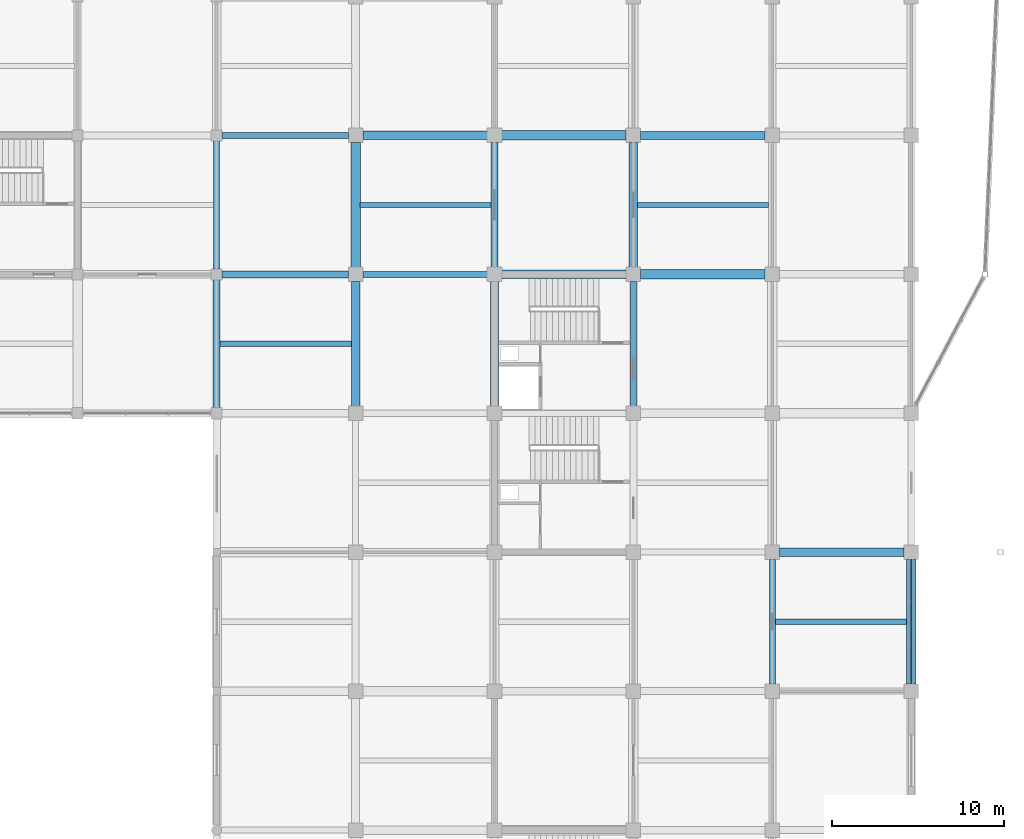
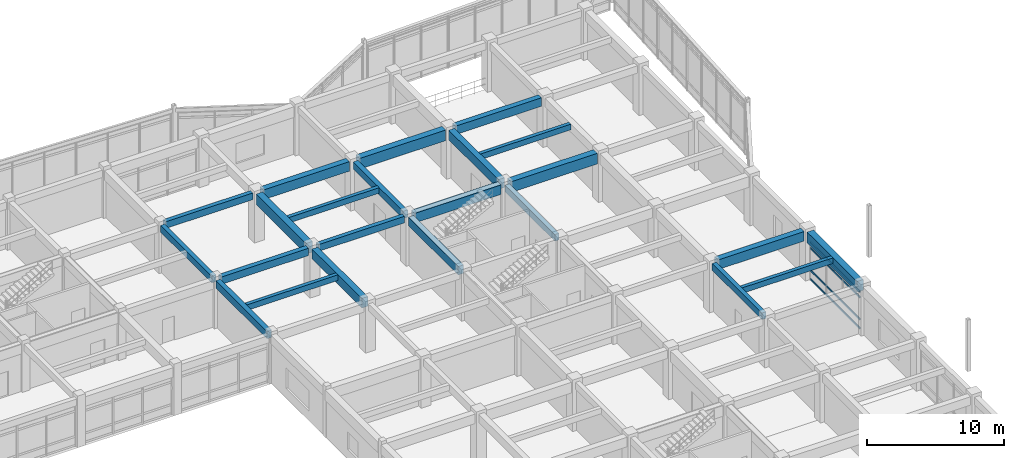
# One storey, part 40 of 93: 23 beams, 4 members, 1 element without a shape of its own.
"""IFC4 building model written with IfcOpenShell, lengths in metres."""

from ifc_helpers import new_model, si_unit, direction, frame, origin, origin_2d, place, context, subcontext, project, spatial, rectangle, extrude, material, layer, layer_set, material_profile, profile_set, type_object, element, aggregate, save


model = new_model("IFC4")

# Units and contexts
model_context = context("Model", 3, precision=1e-05, world=origin(), true_north=direction((0.0, 1.0)))
body_context = subcontext(model_context, "Body", "Model", "MODEL_VIEW")
ifc_project = project(units=[si_unit("LENGTHUNIT", "METRE"), si_unit("AREAUNIT", "SQUARE_METRE"), si_unit("VOLUMEUNIT", "CUBIC_METRE"), si_unit("PLANEANGLEUNIT", "RADIAN"), si_unit("MASSUNIT", "GRAM", prefix="KILO")], contexts=[model_context])

# Site, building, storey
site_placement = place(None, origin())
site = spatial("IfcSite", under=ifc_project, at=site_placement, CompositionType="ELEMENT")
building_placement = place(site_placement, origin())
building = spatial("IfcBuilding", under=site, at=building_placement, Name="Vaudrelin Polytechnic", CompositionType="ELEMENT")
storey_placement = place(building_placement, frame((0.0, 0.0, 5.10009765625)))
storey = spatial("IfcBuildingStorey", under=building, at=storey_placement, Name="L01", CompositionType="ELEMENT", Elevation=5.10009765625)

# Beams
ifc_material_1 = material(Name="Concrete 40 MPa", Category="concrete")
ifc_material_profile_1 = material_profile(ifc_material_1, rectangle(XDim=0.35009765625, YDim=0.60009765625, at=origin_2d()), Name="RC350x600")
ifc_profile_set_1 = profile_set([ifc_material_profile_1], Name="Concrete 40 MPa")
beam_type_1 = type_object("IfcBeamType", Name="BM-BM-RC3560", PredefinedType="BEAM", material=ifc_profile_set_1)
beam_1_placement = place(storey_placement, frame((129.60009765625, 105.610107421875, 3.949951171875), z_axis=(0.0, 1.0, 0.0), x_axis=(-1.0, 0.0, 0.0)))
element("IfcBeam", 1, at=beam_1_placement, inside=storey, type_object=beam_type_1, Name="L01 Y-beam 17-14", PredefinedType="BEAM", context=body_context, shape_type="SweptSolid", body=[
    extrude(rectangle(XDim=0.35009765625, YDim=0.60009765625, at=origin_2d()), origin(), (0.0, 0.0, 1.0), 7.47998046875),
])
beam_2_placement = place(storey_placement, frame((153.89990234375, 97.610107421875, 4.010009765625), z_axis=(0.0, 1.0, 0.0), x_axis=(-1.0, 0.0, 0.0)))
element("IfcBeam", 2, at=beam_2_placement, inside=storey, type_object=beam_type_1, Name="L01 Y-beam 20-13", PredefinedType="BEAM", context=body_context, shape_type="SweptSolid", body=[
    extrude(rectangle(XDim=0.35009765625, YDim=0.60009765625, at=origin_2d()), origin(), (0.0, 0.0, 1.0), 7.27978515625),
])
beam_3_placement = place(storey_placement, frame((162.0, 81.409912109375, 4.010009765625), z_axis=(0.0, 1.0, 0.0), x_axis=(-1.0, 0.0, 0.0)))
element("IfcBeam", 3, at=beam_3_placement, inside=storey, type_object=beam_type_1, Name="L01 Y-beam 21-11", PredefinedType="BEAM", context=body_context, shape_type="SweptSolid", body=[
    extrude(rectangle(XDim=0.35009765625, YDim=0.60009765625, at=origin_2d()), origin(), (0.0, 0.0, 1.0), 7.280029296875),
])
beam_4_placement = place(storey_placement, frame((129.9208984375, 113.39990234375, 4.010009765625), z_axis=(1.0, 0.0, 0.0), x_axis=(0.0, 1.0, 0.0)))
element("IfcBeam", 4, at=beam_4_placement, inside=storey, type_object=beam_type_1, Name="L01 X-beam 17-15", PredefinedType="BEAM", context=body_context, shape_type="SweptSolid", body=[
    extrude(rectangle(XDim=0.35009765625, YDim=0.60009765625, at=origin_2d()), origin(), (0.0, 0.0, 1.0), 7.358154296875),
])
beam_5_placement = place(storey_placement, frame((138.12109375, 105.300048828125, 4.010009765625), z_axis=(1.0, 0.0, 0.0), x_axis=(0.0, 1.0, 0.0)))
element("IfcBeam", 5, at=beam_5_placement, inside=storey, type_object=beam_type_1, Name="L01 X-beam 18-14", PredefinedType="BEAM", context=body_context, shape_type="SweptSolid", body=[
    extrude(rectangle(XDim=0.35009765625, YDim=0.60009765625, at=origin_2d()), origin(), (0.0, 0.0, 1.0), 7.2578125),
])
ifc_material_profile_2 = material_profile(ifc_material_1, rectangle(XDim=0.39990234375, YDim=0.64990234375, at=origin_2d()), Name="RC400x650")
ifc_profile_set_2 = profile_set([ifc_material_profile_2], Name="Concrete 40 MPa")
beam_type_2 = type_object("IfcBeamType", Name="BM-BM-RC4065", PredefinedType="BEAM", material=ifc_profile_set_2)
beam_6_placement = place(storey_placement, frame((129.60009765625, 97.510009765625, 3.9248046875), z_axis=(0.0, 1.0, 0.0), x_axis=(-1.0, 0.0, 0.0)))
element("IfcBeam", 6, at=beam_6_placement, inside=storey, type_object=beam_type_2, Name="L01 Y-beam 17-13", PredefinedType="BEAM", context=body_context, shape_type="SweptSolid", body=[
    extrude(rectangle(XDim=0.39990234375, YDim=0.64990234375, at=origin_2d()), origin(), (0.0, 0.0, 1.0), 7.47998046875),
])
beam_7_placement = place(storey_placement, frame((145.800048828125, 105.7099609375, 3.98486328125), z_axis=(0.0, 1.0, 0.0), x_axis=(-1.0, 0.0, 0.0)))
element("IfcBeam", 7, at=beam_7_placement, inside=storey, type_object=beam_type_2, Name="L01 Y-beam 19-14", PredefinedType="BEAM", context=body_context, shape_type="SweptSolid", body=[
    extrude(rectangle(XDim=0.39990234375, YDim=0.64990234375, at=origin_2d()), origin(), (0.0, 0.0, 1.0), 7.280029296875),
])
beam_8_placement = place(storey_placement, frame((129.9208984375, 105.300048828125, 3.98486328125), z_axis=(1.0, 0.0, 0.0), x_axis=(0.0, 1.0, 0.0)))
element("IfcBeam", 8, at=beam_8_placement, inside=storey, type_object=beam_type_2, Name="L01 X-beam 17-14", PredefinedType="BEAM", context=body_context, shape_type="SweptSolid", body=[
    extrude(rectangle(XDim=0.39990234375, YDim=0.64990234375, at=origin_2d()), origin(), (0.0, 0.0, 1.0), 7.358154296875),
])
ifc_material_profile_3 = material_profile(ifc_material_1, rectangle(XDim=0.449951171875, YDim=0.75, at=origin_2d()), Name="RC450x750")
ifc_profile_set_3 = profile_set([ifc_material_profile_3], Name="Concrete 40 MPa")
beam_type_3 = type_object("IfcBeamType", Name="BM-BM-RC4575", PredefinedType="BEAM", material=ifc_profile_set_3)
beam_9_placement = place(storey_placement, frame((145.800048828125, 97.610107421875, 3.934814453125), z_axis=(0.0, 1.0, 0.0), x_axis=(-1.0, 0.0, 0.0)))
element("IfcBeam", 9, at=beam_9_placement, inside=storey, type_object=beam_type_3, Name="L01 Y-beam 19-13", PredefinedType="BEAM", context=body_context, shape_type="SweptSolid", body=[
    extrude(rectangle(XDim=0.449951171875, YDim=0.75, at=origin_2d()), origin(), (0.0, 0.0, 1.0), 7.27978515625),
])
beam_10_placement = place(storey_placement, frame((154.321044921875, 113.39990234375, 3.934814453125), z_axis=(1.0, 0.0, 0.0), x_axis=(0.0, 1.0, 0.0)))
element("IfcBeam", 10, at=beam_10_placement, inside=storey, type_object=beam_type_3, Name="L01 X-beam 20-15", PredefinedType="BEAM", context=body_context, shape_type="SweptSolid", body=[
    extrude(rectangle(XDim=0.449951171875, YDim=0.75, at=origin_2d()), origin(), (0.0, 0.0, 1.0), 7.258056640625),
])
ifc_material_profile_4 = material_profile(ifc_material_1, rectangle(XDim=0.5, YDim=0.85009765625, at=origin_2d()), Name="RC500x850")
ifc_profile_set_4 = profile_set([ifc_material_profile_4], Name="Concrete 40 MPa")
beam_type_4 = type_object("IfcBeamType", Name="BM-BM-RC5085", PredefinedType="BEAM", material=ifc_profile_set_4)
beam_11_placement = place(storey_placement, frame((137.699951171875, 97.610107421875, 3.885009765625), z_axis=(0.0, 1.0, 0.0), x_axis=(-1.0, 0.0, 0.0)))
element("IfcBeam", 11, at=beam_11_placement, inside=storey, type_object=beam_type_4, Name="L01 Y-beam 18-13", PredefinedType="BEAM", context=body_context, shape_type="SweptSolid", body=[
    extrude(rectangle(XDim=0.5, YDim=0.85009765625, at=origin_2d()), origin(), (0.0, 0.0, 1.0), 7.27978515625),
])
beam_12_placement = place(storey_placement, frame((153.89990234375, 105.7099609375, 3.885009765625), z_axis=(0.0, 1.0, 0.0), x_axis=(-1.0, 0.0, 0.0)))
element("IfcBeam", 12, at=beam_12_placement, inside=storey, type_object=beam_type_4, Name="L01 Y-beam 20-14", PredefinedType="BEAM", context=body_context, shape_type="SweptSolid", body=[
    extrude(rectangle(XDim=0.5, YDim=0.85009765625, at=origin_2d()), origin(), (0.0, 0.0, 1.0), 7.280029296875),
])
beam_13_placement = place(storey_placement, frame((138.12109375, 113.39990234375, 3.885009765625), z_axis=(1.0, 0.0, 0.0), x_axis=(0.0, 1.0, 0.0)))
element("IfcBeam", 13, at=beam_13_placement, inside=storey, type_object=beam_type_4, Name="L01 X-beam 18-15", PredefinedType="BEAM", context=body_context, shape_type="SweptSolid", body=[
    extrude(rectangle(XDim=0.5, YDim=0.85009765625, at=origin_2d()), origin(), (0.0, 0.0, 1.0), 7.2578125),
])
for number, where, z_axis, x_axis, name in (
    (14, (146.220947265625, 105.300048828125, 3.885009765625), (1.0, 0.0, 0.0), (0.0, 1.0, 0.0), "L01 X-beam 19-14"),
    (15, (162.4208984375, 89.10009765625, 3.885009765625), (1.0, 0.0, 0.0), (0.0, 1.0, 0.0), "L01 X-beam 21-12"),
):
    element("IfcBeam", number, at=place(storey_placement, frame(where, z_axis=z_axis, x_axis=x_axis)), inside=storey, type_object=beam_type_4, Name=name, PredefinedType="BEAM", context=body_context, shape_type="SweptSolid", body=[
        extrude(rectangle(XDim=0.5, YDim=0.85009765625, at=origin_2d()), origin(), (0.0, 0.0, 1.0), 7.258056640625),
    ])
ifc_material_2 = material(Name="Concrete 50 MPa", Category="concrete")
ifc_material_profile_5 = material_profile(ifc_material_2, rectangle(XDim=0.550048828125, YDim=0.949951171875, at=origin_2d()), Name="RC550x950")
ifc_profile_set_5 = profile_set([ifc_material_profile_5], Name="Concrete 50 MPa")
beam_type_5 = type_object("IfcBeamType", Name="BM-BM-RC5595", PredefinedType="BEAM", material=ifc_profile_set_5)
for number, where, z_axis, x_axis, name in (
    (16, (137.699951171875, 105.7099609375, 3.8349609375), (0.0, 1.0, 0.0), (-1.0, 0.0, 0.0), "L01 Y-beam 18-14"),
    (17, (170.10009765625, 81.409912109375, 3.8349609375), (0.0, 1.0, 0.0), (-1.0, 0.0, 0.0), "L01 Y-beam 22-11"),
):
    element("IfcBeam", number, at=place(storey_placement, frame(where, z_axis=z_axis, x_axis=x_axis)), inside=storey, type_object=beam_type_5, Name=name, PredefinedType="BEAM", context=body_context, shape_type="SweptSolid", body=[
        extrude(rectangle(XDim=0.550048828125, YDim=0.949951171875, at=origin_2d()), origin(), (0.0, 0.0, 1.0), 7.280029296875),
    ])
for number, where, z_axis, x_axis, name in (
    (18, (146.220947265625, 113.39990234375, 3.8349609375), (1.0, 0.0, 0.0), (0.0, 1.0, 0.0), "L01 X-beam 19-15"),
    (19, (154.321044921875, 105.300048828125, 3.8349609375), (1.0, 0.0, 0.0), (0.0, 1.0, 0.0), "L01 X-beam 20-14"),
):
    element("IfcBeam", number, at=place(storey_placement, frame(where, z_axis=z_axis, x_axis=x_axis)), inside=storey, type_object=beam_type_5, Name=name, PredefinedType="BEAM", context=body_context, shape_type="SweptSolid", body=[
        extrude(rectangle(XDim=0.550048828125, YDim=0.949951171875, at=origin_2d()), origin(), (0.0, 0.0, 1.0), 7.258056640625),
    ])
ifc_material_profile_6 = material_profile(ifc_material_1, rectangle(XDim=0.300048828125, YDim=0.5, at=origin_2d()), Name="RC300x500")
ifc_profile_set_6 = profile_set([ifc_material_profile_6], Name="Concrete 40 MPa")
beam_type_6 = type_object("IfcBeamType", Name="BM-JS-RC3050", PredefinedType="JOIST", material=ifc_profile_set_6)
beam_14_placement = place(storey_placement, frame((129.7958984375, 101.25, 4.059814453125), z_axis=(1.0, 0.0, 0.0), x_axis=(0.0, 1.0, 0.0)))
element("IfcBeam", 20, at=beam_14_placement, inside=storey, type_object=beam_type_6, Name="L01 floor joist 17-13", PredefinedType="JOIST", context=body_context, shape_type="SweptSolid", body=[
    extrude(rectangle(XDim=0.300048828125, YDim=0.5, at=origin_2d()), origin(), (0.0, 0.0, 1.0), 7.658203125),
])
for number, where, z_axis, x_axis, name in (
    (21, (137.970947265625, 109.35009765625, 4.059814453125), (1.0, 0.0, 0.0), (0.0, 1.0, 0.0), "L01 floor joist 18-14"),
    (22, (154.14599609375, 109.35009765625, 4.059814453125), (1.0, 0.0, 0.0), (0.0, 1.0, 0.0), "L01 floor joist 20-14"),
):
    element("IfcBeam", number, at=place(storey_placement, frame(where, z_axis=z_axis, x_axis=x_axis)), inside=storey, type_object=beam_type_6, Name=name, PredefinedType="JOIST", context=body_context, shape_type="SweptSolid", body=[
        extrude(rectangle(XDim=0.300048828125, YDim=0.5, at=origin_2d()), origin(), (0.0, 0.0, 1.0), 7.633056640625),
    ])
beam_15_placement = place(storey_placement, frame((162.1708984375, 85.050048828125, 4.059814453125), z_axis=(1.0, 0.0, 0.0), x_axis=(0.0, 1.0, 0.0)))
element("IfcBeam", 23, at=beam_15_placement, inside=storey, type_object=beam_type_6, Name="L01 floor joist 21-11", PredefinedType="JOIST", context=body_context, shape_type="SweptSolid", body=[
    extrude(rectangle(XDim=0.300048828125, YDim=0.5, at=origin_2d()), origin(), (0.0, 0.0, 1.0), 7.658203125),
])

# Curtain wall, members
ifc_material_3 = material(Name="Thermally broken anodised aluminium AA 6063-T6 and low-e triple glazing", Category="aluminium")
ifc_layer = layer(ifc_material_3, 0.199951171875)
ifc_layer_set = layer_set([ifc_layer], Name="Thermally broken anodised aluminium AA 6063-T6 and low-e triple glazing")
curtain_wall_type = type_object("IfcCurtainWallType", Name="CW-CW-LAB", PredefinedType="USERDEFINED", material=ifc_layer_set)
curtain_wall_placement = place(storey_placement, origin())
curtain_wall = element("IfcCurtainWall", 24, at=curtain_wall_placement, inside=storey, type_object=curtain_wall_type, Name="Curtain wall L01 E_V4_08", ObjectType="CURTAIN WALL", PredefinedType="USERDEFINED")
ifc_material_4 = material(Name="Anodised aluminium AA 6063-T6", Category="aluminium")
ifc_material_profile_7 = material_profile(ifc_material_4, rectangle(XDim=0.074951171875, YDim=0.1650390625, at=origin_2d()), Name="CWT-75x165")
ifc_profile_set_7 = profile_set([ifc_material_profile_7], Name="Anodised aluminium AA 6063-T6")
member_type = type_object("IfcMemberType", Name="MEM-CWT-165", PredefinedType="USERDEFINED", material=ifc_profile_set_7)
member_1_placement = place(storey_placement, frame((170.10009765625, 81.423095703125, 0.0498046875), z_axis=(0.0, 1.0, 0.0), x_axis=(-1.0, 0.0, 0.0)))
member_1 = element("IfcMember", 25, at=member_1_placement, type_object=member_type, Name="E_V4_08 transom 1", ObjectType="TRANSOM", PredefinedType="USERDEFINED", context=body_context, shape_type="SweptSolid", body=[
    extrude(rectangle(XDim=0.074951171875, YDim=0.1650390625, at=origin_2d()), origin(), (0.0, 0.0, 1.0), 7.25390625),
])
member_2_placement = place(storey_placement, frame((170.10009765625, 81.423095703125, 0.849853515625), z_axis=(0.0, 1.0, 0.0), x_axis=(-1.0, 0.0, 0.0)))
member_2 = element("IfcMember", 26, at=member_2_placement, type_object=member_type, Name="E_V4_08 transom 2", ObjectType="TRANSOM", PredefinedType="USERDEFINED", context=body_context, shape_type="SweptSolid", body=[
    extrude(rectangle(XDim=0.074951171875, YDim=0.1650390625, at=origin_2d()), origin(), (0.0, 0.0, 1.0), 7.25390625),
])
member_3_placement = place(storey_placement, frame((170.10009765625, 81.423095703125, 2.81201171875), z_axis=(0.0, 1.0, 0.0), x_axis=(-1.0, 0.0, 0.0)))
member_3 = element("IfcMember", 27, at=member_3_placement, type_object=member_type, Name="E_V4_08 transom 3", ObjectType="TRANSOM", PredefinedType="USERDEFINED", context=body_context, shape_type="SweptSolid", body=[
    extrude(rectangle(XDim=0.074951171875, YDim=0.1650390625, at=origin_2d()), origin(), (0.0, 0.0, 1.0), 7.25390625),
])
member_4_placement = place(storey_placement, frame((170.10009765625, 81.423095703125, 3.31201171875), z_axis=(0.0, 1.0, 0.0), x_axis=(-1.0, 0.0, 0.0)))
member_4 = element("IfcMember", 28, at=member_4_placement, type_object=member_type, Name="E_V4_08 transom 4", ObjectType="TRANSOM", PredefinedType="USERDEFINED", context=body_context, shape_type="SweptSolid", body=[
    extrude(rectangle(XDim=0.074951171875, YDim=0.1650390625, at=origin_2d()), origin(), (0.0, 0.0, 1.0), 7.25390625),
])
aggregate(curtain_wall, [member_1, member_2, member_3, member_4])

save(model, "model.ifc")
